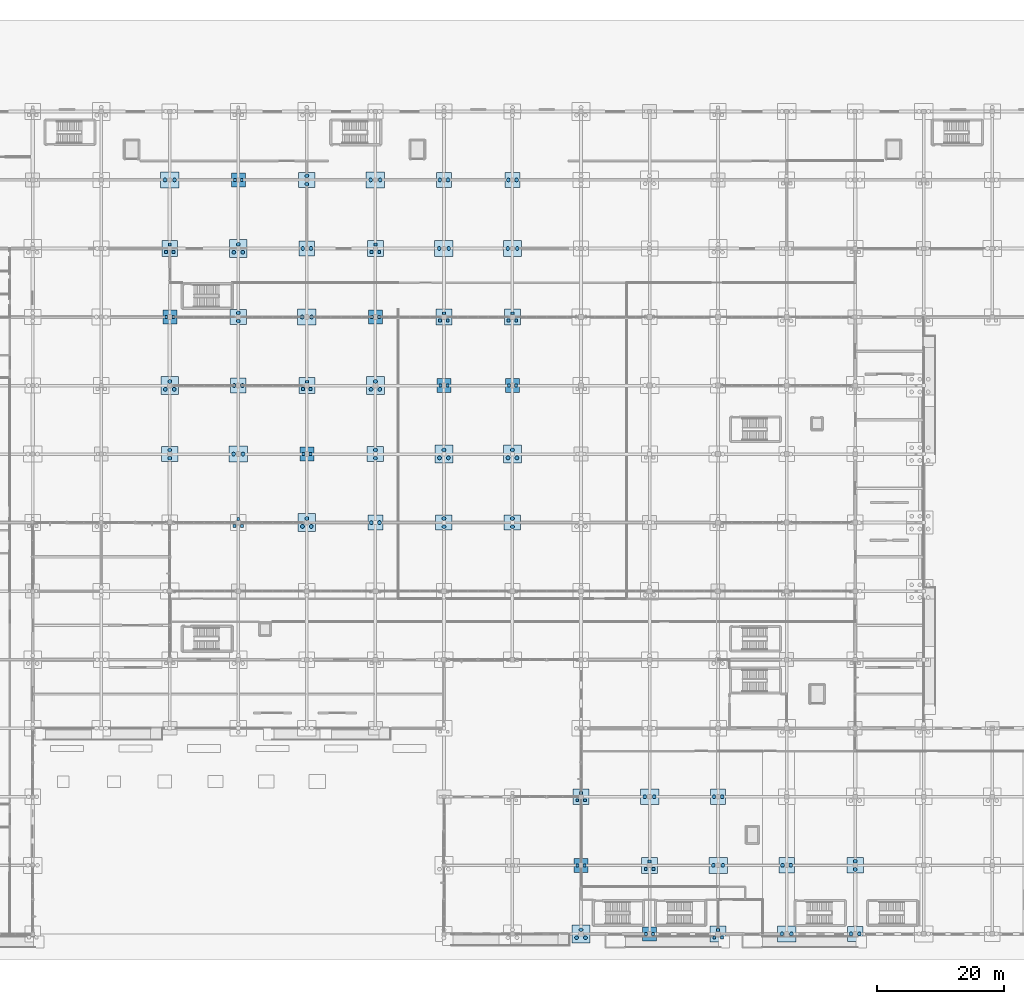
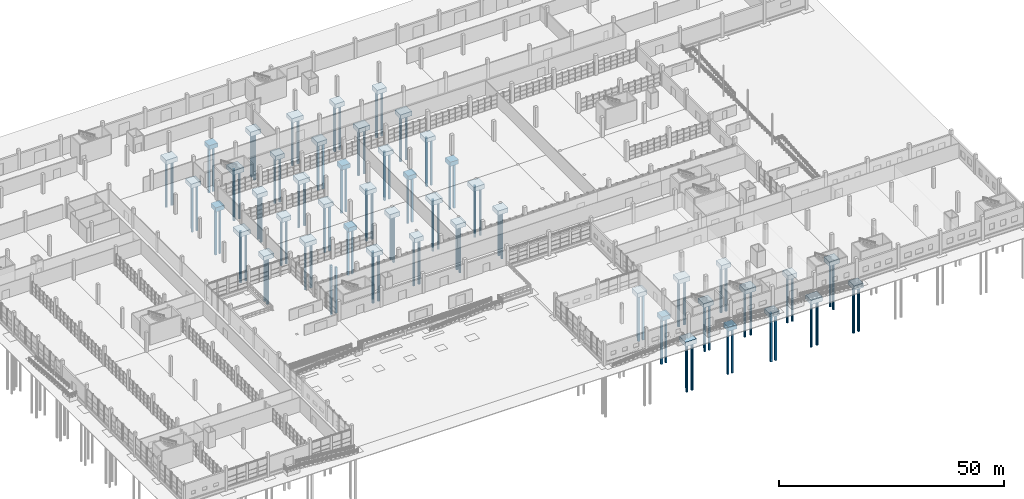
# One storey, part 3 of 138: 112 piles, 47 footings.
"""IFC4 building model written with IfcOpenShell, lengths in metres."""

from ifc_helpers import new_model, si_unit, direction, frame, origin, origin_2d, place, context, subcontext, project, spatial, rectangle, circle, extrude, material, material_profile, profile_set, type_object, element, save


model = new_model("IFC4")

# Units and contexts
model_context = context("Model", 3, precision=1e-05, world=origin(), true_north=direction((0.0, 1.0)))
body_context = subcontext(model_context, "Body", "Model", "MODEL_VIEW")
ifc_project = project(units=[si_unit("LENGTHUNIT", "METRE"), si_unit("AREAUNIT", "SQUARE_METRE"), si_unit("VOLUMEUNIT", "CUBIC_METRE"), si_unit("PLANEANGLEUNIT", "RADIAN"), si_unit("MASSUNIT", "GRAM", prefix="KILO")], contexts=[model_context])

# Site, building, storey
site_placement = place(None, origin())
site = spatial("IfcSite", under=ifc_project, at=site_placement, CompositionType="ELEMENT")
building_placement = place(site_placement, origin())
building = spatial("IfcBuilding", under=site, at=building_placement, Name="Zwinboog Wholesale Market", CompositionType="ELEMENT")
storey_placement = place(building_placement, origin())
storey = spatial("IfcBuildingStorey", under=building, at=storey_placement, Name="L00", CompositionType="ELEMENT", Elevation=0.0)

# Piles
ifc_material_1 = material(Name="Concrete C40/50", Category="concrete")
ifc_material_profile_1 = material_profile(ifc_material_1, circle(Radius=0.300048828125, at=origin_2d()), Name="PILE D600")
ifc_profile_set_1 = profile_set([ifc_material_profile_1], Name="Concrete C40/50")
pile_type_1 = type_object("IfcPileType", Name="PT-BORED-600", PredefinedType="BORED", material=ifc_profile_set_1)
for number, where, z_axis, x_axis, name in (
    (1, (64.800048828125, 74.949951171875, -2.300048828125), (0.0, 0.0, -1.0), (1.0, 0.0, 0.0), "P-01 (PIL-0216)"),
    (2, (64.800048828125, 76.25, -2.300048828125), (0.0, 0.0, -1.0), (1.0, 0.0, 0.0), "P-01 (PIL-0217)"),
):
    element("IfcPile", number, at=place(storey_placement, frame(where, z_axis=z_axis, x_axis=x_axis)), inside=storey, type_object=pile_type_1, Name=name, PredefinedType="BORED", context=body_context, shape_type="SweptSolid", body=[
        extrude(circle(Radius=0.300048828125, at=origin_2d()), origin(), (0.0, 0.0, 1.0), 12.5),
    ])
for number, where, z_axis, x_axis, name in (
    (3, (64.10009765625, 85.800048828125, -2.300048828125), (0.0, 0.0, -1.0), (1.0, 0.0, 0.0), "P-01 (PIL-0218)"),
    (4, (65.5, 85.800048828125, -2.300048828125), (0.0, 0.0, -1.0), (1.0, 0.0, 0.0), "P-01 (PIL-0219)"),
    (5, (64.800048828125, 87.050048828125, -2.300048828125), (0.0, 0.0, -1.0), (1.0, 0.0, 0.0), "P-01 (PIL-0220)"),
):
    element("IfcPile", number, at=place(storey_placement, frame(where, z_axis=z_axis, x_axis=x_axis)), inside=storey, type_object=pile_type_1, Name=name, PredefinedType="BORED", context=body_context, shape_type="SweptSolid", body=[
        extrude(circle(Radius=0.300048828125, at=origin_2d()), origin(), (0.0, 0.0, 1.0), 13.0),
    ])
for number, where, z_axis, x_axis, name in (
    (6, (64.050048828125, 118.800048828125, -2.300048828125), (0.0, 0.0, -1.0), (1.0, 0.0, 0.0), "P-01 (PIL-0226)"),
    (7, (65.550048828125, 118.800048828125, -2.300048828125), (0.0, 0.0, -1.0), (1.0, 0.0, 0.0), "P-01 (PIL-0227)"),
    (8, (74.85009765625, 75.60009765625, -2.300048828125), (0.0, 0.0, -1.0), (1.0, 0.0, 0.0), "P-01 (PIL-0240)"),
    (9, (76.35009765625, 75.60009765625, -2.300048828125), (0.0, 0.0, -1.0), (1.0, 0.0, 0.0), "P-01 (PIL-0241)"),
    (10, (74.949951171875, 86.39990234375, -2.300048828125), (0.0, 0.0, -1.0), (1.0, 0.0, 0.0), "P-01 (PIL-0242)"),
    (11, (76.25, 86.39990234375, -2.300048828125), (0.0, 0.0, -1.0), (1.0, 0.0, 0.0), "P-01 (PIL-0243)"),
    (12, (75.60009765625, 96.550048828125, -2.300048828125), (0.0, 0.0, -1.0), (1.0, 0.0, 0.0), "P-01 (PIL-0244)"),
    (13, (75.60009765625, 97.85009765625, -2.300048828125), (0.0, 0.0, -1.0), (1.0, 0.0, 0.0), "P-01 (PIL-0245)"),
):
    element("IfcPile", number, at=place(storey_placement, frame(where, z_axis=z_axis, x_axis=x_axis)), inside=storey, type_object=pile_type_1, Name=name, PredefinedType="BORED", context=body_context, shape_type="SweptSolid", body=[
        extrude(circle(Radius=0.300048828125, at=origin_2d()), origin(), (0.0, 0.0, 1.0), 12.5),
    ])
for number, where, z_axis, x_axis, name in (
    (14, (74.89990234375, 107.39990234375, -2.300048828125), (0.0, 0.0, -1.0), (1.0, 0.0, 0.0), "P-01 (PIL-0246)"),
    (15, (76.300048828125, 107.39990234375, -2.300048828125), (0.0, 0.0, -1.0), (1.0, 0.0, 0.0), "P-01 (PIL-0247)"),
    (16, (75.60009765625, 108.64990234375, -2.300048828125), (0.0, 0.0, -1.0), (1.0, 0.0, 0.0), "P-01 (PIL-0248)"),
    (17, (85.699951171875, 64.199951171875, -2.300048828125), (0.0, 0.0, -1.0), (1.0, 0.0, 0.0), "P-01 (PIL-0260)"),
    (18, (87.10009765625, 64.199951171875, -2.300048828125), (0.0, 0.0, -1.0), (1.0, 0.0, 0.0), "P-01 (PIL-0261)"),
    (19, (86.39990234375, 65.449951171875, -2.300048828125), (0.0, 0.0, -1.0), (1.0, 0.0, 0.0), "P-01 (PIL-0262)"),
):
    element("IfcPile", number, at=place(storey_placement, frame(where, z_axis=z_axis, x_axis=x_axis)), inside=storey, type_object=pile_type_1, Name=name, PredefinedType="BORED", context=body_context, shape_type="SweptSolid", body=[
        extrude(circle(Radius=0.300048828125, at=origin_2d()), origin(), (0.0, 0.0, 1.0), 13.0),
    ])
for number, where, z_axis, x_axis, name in (
    (20, (85.64990234375, 97.199951171875, -2.300048828125), (0.0, 0.0, -1.0), (1.0, 0.0, 0.0), "P-01 (PIL-0268)"),
    (21, (87.14990234375, 97.199951171875, -2.300048828125), (0.0, 0.0, -1.0), (1.0, 0.0, 0.0), "P-01 (PIL-0269)"),
    (22, (85.75, 108.0, -2.300048828125), (0.0, 0.0, -1.0), (1.0, 0.0, 0.0), "P-01 (PIL-0270)"),
    (23, (87.050048828125, 108.0, -2.300048828125), (0.0, 0.0, -1.0), (1.0, 0.0, 0.0), "P-01 (PIL-0271)"),
    (24, (86.39990234375, 118.14990234375, -2.300048828125), (0.0, 0.0, -1.0), (1.0, 0.0, 0.0), "P-01 (PIL-0272)"),
    (25, (86.39990234375, 119.449951171875, -2.300048828125), (0.0, 0.0, -1.0), (1.0, 0.0, 0.0), "P-01 (PIL-0273)"),
    (26, (96.550048828125, 64.800048828125, -2.300048828125), (0.0, 0.0, -1.0), (1.0, 0.0, 0.0), "P-01 (PIL-0284)"),
    (27, (97.85009765625, 64.800048828125, -2.300048828125), (0.0, 0.0, -1.0), (1.0, 0.0, 0.0), "P-01 (PIL-0285)"),
    (28, (97.199951171875, 74.949951171875, -2.300048828125), (0.0, 0.0, -1.0), (1.0, 0.0, 0.0), "P-01 (PIL-0286)"),
    (29, (97.199951171875, 76.25, -2.300048828125), (0.0, 0.0, -1.0), (1.0, 0.0, 0.0), "P-01 (PIL-0287)"),
):
    element("IfcPile", number, at=place(storey_placement, frame(where, z_axis=z_axis, x_axis=x_axis)), inside=storey, type_object=pile_type_1, Name=name, PredefinedType="BORED", context=body_context, shape_type="SweptSolid", body=[
        extrude(circle(Radius=0.300048828125, at=origin_2d()), origin(), (0.0, 0.0, 1.0), 12.5),
    ])
for number, where, z_axis, x_axis, name in (
    (30, (96.5, 85.800048828125, -2.300048828125), (0.0, 0.0, -1.0), (1.0, 0.0, 0.0), "P-01 (PIL-0288)"),
    (31, (97.89990234375, 85.800048828125, -2.300048828125), (0.0, 0.0, -1.0), (1.0, 0.0, 0.0), "P-01 (PIL-0289)"),
    (32, (97.199951171875, 87.050048828125, -2.300048828125), (0.0, 0.0, -1.0), (1.0, 0.0, 0.0), "P-01 (PIL-0290)"),
):
    element("IfcPile", number, at=place(storey_placement, frame(where, z_axis=z_axis, x_axis=x_axis)), inside=storey, type_object=pile_type_1, Name=name, PredefinedType="BORED", context=body_context, shape_type="SweptSolid", body=[
        extrude(circle(Radius=0.300048828125, at=origin_2d()), origin(), (0.0, 0.0, 1.0), 13.0),
    ])
for number, where, z_axis, x_axis, name in (
    (33, (96.449951171875, 118.800048828125, -2.300048828125), (0.0, 0.0, -1.0), (1.0, 0.0, 0.0), "P-01 (PIL-0296)"),
    (34, (97.949951171875, 118.800048828125, -2.300048828125), (0.0, 0.0, -1.0), (1.0, 0.0, 0.0), "P-01 (PIL-0297)"),
    (35, (108.0, 64.14990234375, -2.300048828125), (0.0, 0.0, -1.0), (1.0, 0.0, 0.0), "P-01 (PIL-0314)"),
    (36, (108.0, 65.449951171875, -2.300048828125), (0.0, 0.0, -1.0), (1.0, 0.0, 0.0), "P-01 (PIL-0315)"),
):
    element("IfcPile", number, at=place(storey_placement, frame(where, z_axis=z_axis, x_axis=x_axis)), inside=storey, type_object=pile_type_1, Name=name, PredefinedType="BORED", context=body_context, shape_type="SweptSolid", body=[
        extrude(circle(Radius=0.300048828125, at=origin_2d()), origin(), (0.0, 0.0, 1.0), 12.5),
    ])
for number, where, z_axis, x_axis, name in (
    (37, (107.300048828125, 75.0, -2.300048828125), (0.0, 0.0, -1.0), (1.0, 0.0, 0.0), "P-01 (PIL-0316)"),
    (38, (108.699951171875, 75.0, -2.300048828125), (0.0, 0.0, -1.0), (1.0, 0.0, 0.0), "P-01 (PIL-0317)"),
    (39, (108.0, 76.25, -2.300048828125), (0.0, 0.0, -1.0), (1.0, 0.0, 0.0), "P-01 (PIL-0318)"),
):
    element("IfcPile", number, at=place(storey_placement, frame(where, z_axis=z_axis, x_axis=x_axis)), inside=storey, type_object=pile_type_1, Name=name, PredefinedType="BORED", context=body_context, shape_type="SweptSolid", body=[
        extrude(circle(Radius=0.300048828125, at=origin_2d()), origin(), (0.0, 0.0, 1.0), 13.0),
    ])
for number, where, z_axis, x_axis, name in (
    (40, (107.25, 108.0, -2.300048828125), (0.0, 0.0, -1.0), (1.0, 0.0, 0.0), "P-01 (PIL-0324)"),
    (41, (108.75, 108.0, -2.300048828125), (0.0, 0.0, -1.0), (1.0, 0.0, 0.0), "P-01 (PIL-0325)"),
    (42, (107.35009765625, 118.800048828125, -2.300048828125), (0.0, 0.0, -1.0), (1.0, 0.0, 0.0), "P-01 (PIL-0326)"),
    (43, (108.64990234375, 118.800048828125, -2.300048828125), (0.0, 0.0, -1.0), (1.0, 0.0, 0.0), "P-01 (PIL-0327)"),
    (44, (118.800048828125, 64.14990234375, -2.300048828125), (0.0, 0.0, -1.0), (1.0, 0.0, 0.0), "P-01 (PIL-0342)"),
    (45, (118.800048828125, 65.449951171875, -2.300048828125), (0.0, 0.0, -1.0), (1.0, 0.0, 0.0), "P-01 (PIL-0343)"),
):
    element("IfcPile", number, at=place(storey_placement, frame(where, z_axis=z_axis, x_axis=x_axis)), inside=storey, type_object=pile_type_1, Name=name, PredefinedType="BORED", context=body_context, shape_type="SweptSolid", body=[
        extrude(circle(Radius=0.300048828125, at=origin_2d()), origin(), (0.0, 0.0, 1.0), 12.5),
    ])
for number, where, z_axis, x_axis, name in (
    (46, (118.10009765625, 75.0, -2.300048828125), (0.0, 0.0, -1.0), (1.0, 0.0, 0.0), "P-01 (PIL-0344)"),
    (47, (119.5, 75.0, -2.300048828125), (0.0, 0.0, -1.0), (1.0, 0.0, 0.0), "P-01 (PIL-0345)"),
    (48, (118.800048828125, 76.25, -2.300048828125), (0.0, 0.0, -1.0), (1.0, 0.0, 0.0), "P-01 (PIL-0346)"),
):
    element("IfcPile", number, at=place(storey_placement, frame(where, z_axis=z_axis, x_axis=x_axis)), inside=storey, type_object=pile_type_1, Name=name, PredefinedType="BORED", context=body_context, shape_type="SweptSolid", body=[
        extrude(circle(Radius=0.300048828125, at=origin_2d()), origin(), (0.0, 0.0, 1.0), 13.0),
    ])
for number, where, z_axis, x_axis, name in (
    (49, (118.050048828125, 108.0, -2.300048828125), (0.0, 0.0, -1.0), (1.0, 0.0, 0.0), "P-01 (PIL-0352)"),
    (50, (119.550048828125, 108.0, -2.300048828125), (0.0, 0.0, -1.0), (1.0, 0.0, 0.0), "P-01 (PIL-0353)"),
    (51, (118.14990234375, 118.800048828125, -2.300048828125), (0.0, 0.0, -1.0), (1.0, 0.0, 0.0), "P-01 (PIL-0354)"),
    (52, (119.449951171875, 118.800048828125, -2.300048828125), (0.0, 0.0, -1.0), (1.0, 0.0, 0.0), "P-01 (PIL-0355)"),
):
    element("IfcPile", number, at=place(storey_placement, frame(where, z_axis=z_axis, x_axis=x_axis)), inside=storey, type_object=pile_type_1, Name=name, PredefinedType="BORED", context=body_context, shape_type="SweptSolid", body=[
        extrude(circle(Radius=0.300048828125, at=origin_2d()), origin(), (0.0, 0.0, 1.0), 12.5),
    ])
for number, where, z_axis, x_axis, name in (
    (53, (128.89990234375, -0.60009765625, -2.300048828125), (0.0, 0.0, -1.0), (1.0, 0.0, 0.0), "P-01 (PIL-0358)"),
    (54, (130.300048828125, -0.60009765625, -2.300048828125), (0.0, 0.0, -1.0), (1.0, 0.0, 0.0), "P-01 (PIL-0359)"),
    (55, (129.60009765625, 0.64990234375, -2.300048828125), (0.0, 0.0, -1.0), (1.0, 0.0, 0.0), "P-01 (PIL-0360)"),
):
    element("IfcPile", number, at=place(storey_placement, frame(where, z_axis=z_axis, x_axis=x_axis)), inside=storey, type_object=pile_type_1, Name=name, PredefinedType="BORED", context=body_context, shape_type="SweptSolid", body=[
        extrude(circle(Radius=0.300048828125, at=origin_2d()), origin(), (0.0, 0.0, 1.0), 13.0),
    ])
for number, where, z_axis, x_axis, name in (
    (56, (139.64990234375, 21.60009765625, -2.300048828125), (0.0, 0.0, -1.0), (1.0, 0.0, 0.0), "P-01 (PIL-0394)"),
    (57, (141.14990234375, 21.60009765625, -2.300048828125), (0.0, 0.0, -1.0), (1.0, 0.0, 0.0), "P-01 (PIL-0395)"),
    (58, (150.449951171875, 10.800048828125, -2.300048828125), (0.0, 0.0, -1.0), (1.0, 0.0, 0.0), "P-01 (PIL-0422)"),
    (59, (151.949951171875, 10.800048828125, -2.300048828125), (0.0, 0.0, -1.0), (1.0, 0.0, 0.0), "P-01 (PIL-0423)"),
    (60, (150.550048828125, 21.60009765625, -2.300048828125), (0.0, 0.0, -1.0), (1.0, 0.0, 0.0), "P-01 (PIL-0424)"),
    (61, (151.85009765625, 21.60009765625, -2.300048828125), (0.0, 0.0, -1.0), (1.0, 0.0, 0.0), "P-01 (PIL-0425)"),
    (62, (161.25, 0.0, -2.300048828125), (0.0, 0.0, -1.0), (1.0, 0.0, 0.0), "P-01 (PIL-0450)"),
    (63, (162.75, 0.0, -2.300048828125), (0.0, 0.0, -1.0), (1.0, 0.0, 0.0), "P-01 (PIL-0451)"),
    (64, (161.35009765625, 10.800048828125, -2.300048828125), (0.0, 0.0, -1.0), (1.0, 0.0, 0.0), "P-01 (PIL-0452)"),
    (65, (162.64990234375, 10.800048828125, -2.300048828125), (0.0, 0.0, -1.0), (1.0, 0.0, 0.0), "P-01 (PIL-0453)"),
    (66, (172.14990234375, 0.0, -2.300048828125), (0.0, 0.0, -1.0), (1.0, 0.0, 0.0), "P-01 (PIL-0480)"),
    (67, (173.449951171875, 0.0, -2.300048828125), (0.0, 0.0, -1.0), (1.0, 0.0, 0.0), "P-01 (PIL-0481)"),
    (68, (172.800048828125, 10.14990234375, -2.300048828125), (0.0, 0.0, -1.0), (1.0, 0.0, 0.0), "P-01 (PIL-0482)"),
    (69, (172.800048828125, 11.449951171875, -2.300048828125), (0.0, 0.0, -1.0), (1.0, 0.0, 0.0), "P-01 (PIL-0483)"),
):
    element("IfcPile", number, at=place(storey_placement, frame(where, z_axis=z_axis, x_axis=x_axis)), inside=storey, type_object=pile_type_1, Name=name, PredefinedType="BORED", context=body_context, shape_type="SweptSolid", body=[
        extrude(circle(Radius=0.300048828125, at=origin_2d()), origin(), (0.0, 0.0, 1.0), 12.5),
    ])
ifc_material_profile_2 = material_profile(ifc_material_1, rectangle(XDim=0.449951171875, YDim=0.449951171875, at=origin_2d()), Name="PILE SQ450")
ifc_profile_set_2 = profile_set([ifc_material_profile_2], Name="Concrete C40/50")
pile_type_2 = type_object("IfcPileType", Name="PT-DRIVEN-450", PredefinedType="DRIVEN", material=ifc_profile_set_2)
for number, where, z_axis, x_axis, name in (
    (70, (64.25, 97.199951171875, -2.25), (0.0, 0.0, -1.0), (1.0, 0.0, 0.0), "P-02 (PIL-0221)"),
    (71, (65.35009765625, 97.199951171875, -2.25), (0.0, 0.0, -1.0), (1.0, 0.0, 0.0), "P-02 (PIL-0222)"),
    (72, (64.199951171875, 107.449951171875, -2.25), (0.0, 0.0, -1.0), (1.0, 0.0, 0.0), "P-02 (PIL-0223)"),
    (73, (65.39990234375, 107.449951171875, -2.25), (0.0, 0.0, -1.0), (1.0, 0.0, 0.0), "P-02 (PIL-0224)"),
    (74, (64.800048828125, 108.60009765625, -2.25), (0.0, 0.0, -1.0), (1.0, 0.0, 0.0), "P-02 (PIL-0225)"),
    (75, (75.0, 64.25, -2.25), (0.0, 0.0, -1.0), (1.0, 0.0, 0.0), "P-02 (PIL-0237)"),
    (76, (76.199951171875, 64.25, -2.25), (0.0, 0.0, -1.0), (1.0, 0.0, 0.0), "P-02 (PIL-0238)"),
    (77, (75.60009765625, 65.39990234375, -2.25), (0.0, 0.0, -1.0), (1.0, 0.0, 0.0), "P-02 (PIL-0239)"),
    (78, (75.050048828125, 118.800048828125, -2.25), (0.0, 0.0, -1.0), (1.0, 0.0, 0.0), "P-02 (PIL-0249)"),
    (79, (76.14990234375, 118.800048828125, -2.25), (0.0, 0.0, -1.0), (1.0, 0.0, 0.0), "P-02 (PIL-0250)"),
    (80, (85.85009765625, 75.60009765625, -2.25), (0.0, 0.0, -1.0), (1.0, 0.0, 0.0), "P-02 (PIL-0263)"),
    (81, (86.949951171875, 75.60009765625, -2.25), (0.0, 0.0, -1.0), (1.0, 0.0, 0.0), "P-02 (PIL-0264)"),
    (82, (85.800048828125, 85.85009765625, -2.25), (0.0, 0.0, -1.0), (1.0, 0.0, 0.0), "P-02 (PIL-0265)"),
    (83, (87.0, 85.85009765625, -2.25), (0.0, 0.0, -1.0), (1.0, 0.0, 0.0), "P-02 (PIL-0266)"),
    (84, (86.39990234375, 87.0, -2.25), (0.0, 0.0, -1.0), (1.0, 0.0, 0.0), "P-02 (PIL-0267)"),
    (85, (96.64990234375, 97.199951171875, -2.25), (0.0, 0.0, -1.0), (1.0, 0.0, 0.0), "P-02 (PIL-0291)"),
    (86, (97.75, 97.199951171875, -2.25), (0.0, 0.0, -1.0), (1.0, 0.0, 0.0), "P-02 (PIL-0292)"),
    (87, (96.60009765625, 107.449951171875, -2.25), (0.0, 0.0, -1.0), (1.0, 0.0, 0.0), "P-02 (PIL-0293)"),
    (88, (97.800048828125, 107.449951171875, -2.25), (0.0, 0.0, -1.0), (1.0, 0.0, 0.0), "P-02 (PIL-0294)"),
    (89, (97.199951171875, 108.60009765625, -2.25), (0.0, 0.0, -1.0), (1.0, 0.0, 0.0), "P-02 (PIL-0295)"),
    (90, (107.449951171875, 86.39990234375, -2.25), (0.0, 0.0, -1.0), (1.0, 0.0, 0.0), "P-02 (PIL-0319)"),
    (91, (108.550048828125, 86.39990234375, -2.25), (0.0, 0.0, -1.0), (1.0, 0.0, 0.0), "P-02 (PIL-0320)"),
    (92, (107.39990234375, 96.64990234375, -2.25), (0.0, 0.0, -1.0), (1.0, 0.0, 0.0), "P-02 (PIL-0321)"),
    (93, (108.60009765625, 96.64990234375, -2.25), (0.0, 0.0, -1.0), (1.0, 0.0, 0.0), "P-02 (PIL-0322)"),
    (94, (108.0, 97.800048828125, -2.25), (0.0, 0.0, -1.0), (1.0, 0.0, 0.0), "P-02 (PIL-0323)"),
    (95, (118.25, 86.39990234375, -2.25), (0.0, 0.0, -1.0), (1.0, 0.0, 0.0), "P-02 (PIL-0347)"),
    (96, (119.35009765625, 86.39990234375, -2.25), (0.0, 0.0, -1.0), (1.0, 0.0, 0.0), "P-02 (PIL-0348)"),
    (97, (118.199951171875, 96.64990234375, -2.25), (0.0, 0.0, -1.0), (1.0, 0.0, 0.0), "P-02 (PIL-0349)"),
    (98, (119.39990234375, 96.64990234375, -2.25), (0.0, 0.0, -1.0), (1.0, 0.0, 0.0), "P-02 (PIL-0350)"),
    (99, (118.800048828125, 97.800048828125, -2.25), (0.0, 0.0, -1.0), (1.0, 0.0, 0.0), "P-02 (PIL-0351)"),
    (100, (129.050048828125, 10.800048828125, -2.25), (0.0, 0.0, -1.0), (1.0, 0.0, 0.0), "P-02 (PIL-0361)"),
    (101, (130.14990234375, 10.800048828125, -2.25), (0.0, 0.0, -1.0), (1.0, 0.0, 0.0), "P-02 (PIL-0362)"),
    (102, (129.0, 21.050048828125, -2.25), (0.0, 0.0, -1.0), (1.0, 0.0, 0.0), "P-02 (PIL-0363)"),
    (103, (130.199951171875, 21.050048828125, -2.25), (0.0, 0.0, -1.0), (1.0, 0.0, 0.0), "P-02 (PIL-0364)"),
    (104, (129.60009765625, 22.199951171875, -2.25), (0.0, 0.0, -1.0), (1.0, 0.0, 0.0), "P-02 (PIL-0365)"),
    (105, (139.85009765625, 0.0, -2.25), (0.0, 0.0, -1.0), (1.0, 0.0, 0.0), "P-02 (PIL-0389)"),
    (106, (140.949951171875, 0.0, -2.25), (0.0, 0.0, -1.0), (1.0, 0.0, 0.0), "P-02 (PIL-0390)"),
    (107, (139.800048828125, 10.25, -2.25), (0.0, 0.0, -1.0), (1.0, 0.0, 0.0), "P-02 (PIL-0391)"),
    (108, (141.0, 10.25, -2.25), (0.0, 0.0, -1.0), (1.0, 0.0, 0.0), "P-02 (PIL-0392)"),
    (109, (140.39990234375, 11.39990234375, -2.25), (0.0, 0.0, -1.0), (1.0, 0.0, 0.0), "P-02 (PIL-0393)"),
    (110, (150.60009765625, -0.550048828125, -2.25), (0.0, 0.0, -1.0), (1.0, 0.0, 0.0), "P-02 (PIL-0419)"),
    (111, (151.800048828125, -0.550048828125, -2.25), (0.0, 0.0, -1.0), (1.0, 0.0, 0.0), "P-02 (PIL-0420)"),
    (112, (151.199951171875, 0.60009765625, -2.25), (0.0, 0.0, -1.0), (1.0, 0.0, 0.0), "P-02 (PIL-0421)"),
):
    element("IfcPile", number, at=place(storey_placement, frame(where, z_axis=z_axis, x_axis=x_axis)), inside=storey, type_object=pile_type_2, Name=name, PredefinedType="DRIVEN", context=body_context, shape_type="SweptSolid", body=[
        extrude(rectangle(XDim=0.449951171875, YDim=0.449951171875, at=origin_2d()), origin(), (0.0, 0.0, 1.0), 12.5),
    ])

# Footings
ifc_material_2 = material(Name="Concrete C35/45", Category="concrete")
footing_type_1 = type_object("IfcFootingType", Name="FT-PC-01", PredefinedType="PILE_CAP", material=ifc_material_2)
for number, where, z_axis, x_axis, name in (
    (113, (75.60009765625, 86.39990234375, -2.39990234375), (0.0, 0.0, 1.0), (1.0, 0.0, 0.0), "FC-01 (FND-PC-091)"),
    (114, (86.39990234375, 108.0, -2.39990234375), (0.0, 0.0, 1.0), (1.0, 0.0, 0.0), "FC-01 (FND-PC-103)"),
    (115, (97.199951171875, 64.800048828125, -2.39990234375), (0.0, 0.0, 1.0), (1.0, 0.0, 0.0), "FC-01 (FND-PC-109)"),
    (116, (108.0, 118.800048828125, -2.39990234375), (0.0, 0.0, 1.0), (1.0, 0.0, 0.0), "FC-01 (FND-PC-127)"),
    (117, (118.800048828125, 118.800048828125, -2.39990234375), (0.0, 0.0, 1.0), (1.0, 0.0, 0.0), "FC-01 (FND-PC-139)"),
    (118, (151.199951171875, 21.60009765625, -2.39990234375), (0.0, 0.0, 1.0), (1.0, 0.0, 0.0), "FC-01 (FND-PC-169)"),
    (119, (162.0, 10.800048828125, -2.39990234375), (0.0, 0.0, 1.0), (1.0, 0.0, 0.0), "FC-01 (FND-PC-181)"),
    (120, (172.800048828125, 0.0, -2.39990234375), (0.0, 0.0, 1.0), (1.0, 0.0, 0.0), "FC-01 (FND-PC-193)"),
):
    element("IfcFooting", number, at=place(storey_placement, frame(where, z_axis=z_axis, x_axis=x_axis)), inside=storey, type_object=footing_type_1, Name=name, PredefinedType="PILE_CAP", context=body_context, shape_type="SweptSolid", body=[
        extrude(rectangle(XDim=2.39990234375, YDim=2.39990234375, at=origin_2d()), origin(), (0.0, 0.0, 1.0), 1.199951171875),
    ])
footing_type_2 = type_object("IfcFootingType", Name="FT-PC-02", PredefinedType="PILE_CAP", material=ifc_material_2)
for number, where, z_axis, x_axis, name in (
    (121, (64.800048828125, 75.60009765625, -2.39990234375), (0.0, 0.0, 1.0), (1.0, 0.0, 0.0), "FC-02 (FND-PC-080)"),
    (122, (75.60009765625, 97.199951171875, -2.39990234375), (0.0, 0.0, 1.0), (1.0, 0.0, 0.0), "FC-02 (FND-PC-092)"),
    (123, (86.39990234375, 118.800048828125, -2.39990234375), (0.0, 0.0, 1.0), (1.0, 0.0, 0.0), "FC-02 (FND-PC-104)"),
    (124, (97.199951171875, 75.60009765625, -2.39990234375), (0.0, 0.0, 1.0), (1.0, 0.0, 0.0), "FC-02 (FND-PC-110)"),
    (125, (108.0, 64.800048828125, -2.39990234375), (0.0, 0.0, 1.0), (1.0, 0.0, 0.0), "FC-02 (FND-PC-122)"),
    (126, (118.800048828125, 64.800048828125, -2.39990234375), (0.0, 0.0, 1.0), (1.0, 0.0, 0.0), "FC-02 (FND-PC-134)"),
    (127, (172.800048828125, 10.800048828125, -2.39990234375), (0.0, 0.0, 1.0), (1.0, 0.0, 0.0), "FC-02 (FND-PC-194)"),
):
    element("IfcFooting", number, at=place(storey_placement, frame(where, z_axis=z_axis, x_axis=x_axis)), inside=storey, type_object=footing_type_2, Name=name, PredefinedType="PILE_CAP", context=body_context, shape_type="SweptSolid", body=[
        extrude(rectangle(XDim=2.60009765625, YDim=2.39990234375, at=origin_2d()), origin(), (0.0, 0.0, 1.0), 1.199951171875),
    ])
footing_type_3 = type_object("IfcFootingType", Name="FT-PC-03", PredefinedType="PILE_CAP", material=ifc_material_2)
for number, where, z_axis, x_axis, name in (
    (128, (64.800048828125, 86.39990234375, -2.39990234375), (0.0, 0.0, 1.0), (1.0, 0.0, 0.0), "FC-03 (FND-PC-081)"),
    (129, (75.60009765625, 108.0, -2.39990234375), (0.0, 0.0, 1.0), (1.0, 0.0, 0.0), "FC-03 (FND-PC-093)"),
    (130, (86.39990234375, 64.800048828125, -2.39990234375), (0.0, 0.0, 1.0), (1.0, 0.0, 0.0), "FC-03 (FND-PC-099)"),
    (131, (97.199951171875, 86.39990234375, -2.39990234375), (0.0, 0.0, 1.0), (1.0, 0.0, 0.0), "FC-03 (FND-PC-111)"),
    (132, (108.0, 75.60009765625, -2.39990234375), (0.0, 0.0, 1.0), (1.0, 0.0, 0.0), "FC-03 (FND-PC-123)"),
    (133, (118.800048828125, 75.60009765625, -2.39990234375), (0.0, 0.0, 1.0), (1.0, 0.0, 0.0), "FC-03 (FND-PC-135)"),
    (134, (129.60009765625, 0.0, -2.39990234375), (0.0, 0.0, 1.0), (1.0, 0.0, 0.0), "FC-03 (FND-PC-141)"),
):
    element("IfcFooting", number, at=place(storey_placement, frame(where, z_axis=z_axis, x_axis=x_axis)), inside=storey, type_object=footing_type_3, Name=name, PredefinedType="PILE_CAP", context=body_context, shape_type="SweptSolid", body=[
        extrude(rectangle(XDim=2.800048828125, YDim=2.800048828125, at=origin_2d()), origin(), (0.0, 0.0, 1.0), 1.199951171875),
    ])
footing_type_4 = type_object("IfcFootingType", Name="FT-PC-10", PredefinedType="PILE_CAP", material=ifc_material_2)
for number, where, z_axis, x_axis, name in (
    (135, (64.800048828125, 97.199951171875, -2.349853515625), (0.0, 0.0, 1.0), (1.0, 0.0, 0.0), "FC-10 (FND-PC-082)"),
    (136, (75.60009765625, 118.800048828125, -2.349853515625), (0.0, 0.0, 1.0), (1.0, 0.0, 0.0), "FC-10 (FND-PC-094)"),
    (137, (86.39990234375, 75.60009765625, -2.349853515625), (0.0, 0.0, 1.0), (1.0, 0.0, 0.0), "FC-10 (FND-PC-100)"),
    (138, (97.199951171875, 97.199951171875, -2.349853515625), (0.0, 0.0, 1.0), (1.0, 0.0, 0.0), "FC-10 (FND-PC-112)"),
    (139, (108.0, 86.39990234375, -2.349853515625), (0.0, 0.0, 1.0), (1.0, 0.0, 0.0), "FC-10 (FND-PC-124)"),
    (140, (118.800048828125, 86.39990234375, -2.349853515625), (0.0, 0.0, 1.0), (1.0, 0.0, 0.0), "FC-10 (FND-PC-136)"),
    (141, (129.60009765625, 10.800048828125, -2.349853515625), (0.0, 0.0, 1.0), (1.0, 0.0, 0.0), "FC-10 (FND-PC-142)"),
    (142, (140.39990234375, 0.0, -2.349853515625), (0.0, 0.0, 1.0), (1.0, 0.0, 0.0), "FC-10 (FND-PC-154)"),
):
    element("IfcFooting", number, at=place(storey_placement, frame(where, z_axis=z_axis, x_axis=x_axis)), inside=storey, type_object=footing_type_4, Name=name, PredefinedType="PILE_CAP", context=body_context, shape_type="SweptSolid", body=[
        extrude(rectangle(XDim=2.199951171875, YDim=2.199951171875, at=origin_2d()), origin(), (0.0, 0.0, 1.0), 1.14990234375),
    ])
footing_type_5 = type_object("IfcFootingType", Name="FT-PC-11", PredefinedType="PILE_CAP", material=ifc_material_2)
for number, where, z_axis, x_axis, name in (
    (143, (64.800048828125, 108.0, -2.349853515625), (0.0, 0.0, 1.0), (1.0, 0.0, 0.0), "FC-11 (FND-PC-083)"),
    (144, (86.39990234375, 86.39990234375, -2.349853515625), (0.0, 0.0, 1.0), (1.0, 0.0, 0.0), "FC-11 (FND-PC-101)"),
    (145, (97.199951171875, 108.0, -2.349853515625), (0.0, 0.0, 1.0), (1.0, 0.0, 0.0), "FC-11 (FND-PC-113)"),
    (146, (108.0, 97.199951171875, -2.349853515625), (0.0, 0.0, 1.0), (1.0, 0.0, 0.0), "FC-11 (FND-PC-125)"),
    (147, (118.800048828125, 97.199951171875, -2.349853515625), (0.0, 0.0, 1.0), (1.0, 0.0, 0.0), "FC-11 (FND-PC-137)"),
    (148, (129.60009765625, 21.60009765625, -2.349853515625), (0.0, 0.0, 1.0), (1.0, 0.0, 0.0), "FC-11 (FND-PC-143)"),
    (149, (140.39990234375, 10.800048828125, -2.349853515625), (0.0, 0.0, 1.0), (1.0, 0.0, 0.0), "FC-11 (FND-PC-155)"),
    (150, (151.199951171875, 0.0, -2.349853515625), (0.0, 0.0, 1.0), (1.0, 0.0, 0.0), "FC-11 (FND-PC-167)"),
):
    element("IfcFooting", number, at=place(storey_placement, frame(where, z_axis=z_axis, x_axis=x_axis)), inside=storey, type_object=footing_type_5, Name=name, PredefinedType="PILE_CAP", context=body_context, shape_type="SweptSolid", body=[
        extrude(rectangle(XDim=2.5, YDim=2.5, at=origin_2d()), origin(), (0.0, 0.0, 1.0), 1.14990234375),
    ])
footing_type_6 = type_object("IfcFootingType", Name="FT-PC-17", PredefinedType="PILE_CAP", material=ifc_material_2)
for number, where, z_axis, x_axis, name in (
    (151, (64.800048828125, 118.800048828125, -2.39990234375), (0.0, 0.0, 1.0), (1.0, 0.0, 0.0), "FC-17 (FND-PC-084)"),
    (152, (75.60009765625, 75.60009765625, -2.39990234375), (0.0, 0.0, 1.0), (1.0, 0.0, 0.0), "FC-17 (FND-PC-090)"),
    (153, (86.39990234375, 97.199951171875, -2.39990234375), (0.0, 0.0, 1.0), (1.0, 0.0, 0.0), "FC-17 (FND-PC-102)"),
    (154, (97.199951171875, 118.800048828125, -2.39990234375), (0.0, 0.0, 1.0), (1.0, 0.0, 0.0), "FC-17 (FND-PC-114)"),
    (155, (108.0, 108.0, -2.39990234375), (0.0, 0.0, 1.0), (1.0, 0.0, 0.0), "FC-17 (FND-PC-126)"),
    (156, (118.800048828125, 108.0, -2.39990234375), (0.0, 0.0, 1.0), (1.0, 0.0, 0.0), "FC-17 (FND-PC-138)"),
    (157, (140.39990234375, 21.60009765625, -2.39990234375), (0.0, 0.0, 1.0), (1.0, 0.0, 0.0), "FC-17 (FND-PC-156)"),
    (158, (151.199951171875, 10.800048828125, -2.39990234375), (0.0, 0.0, 1.0), (1.0, 0.0, 0.0), "FC-17 (FND-PC-168)"),
    (159, (162.0, 0.0, -2.39990234375), (0.0, 0.0, 1.0), (1.0, 0.0, 0.0), "FC-17 (FND-PC-180)"),
):
    element("IfcFooting", number, at=place(storey_placement, frame(where, z_axis=z_axis, x_axis=x_axis)), inside=storey, type_object=footing_type_6, Name=name, PredefinedType="PILE_CAP", context=body_context, shape_type="SweptSolid", body=[
        extrude(rectangle(XDim=2.89990234375, YDim=2.5, at=origin_2d()), origin(), (0.0, 0.0, 1.0), 1.199951171875),
    ])

save(model, "model.ifc")
